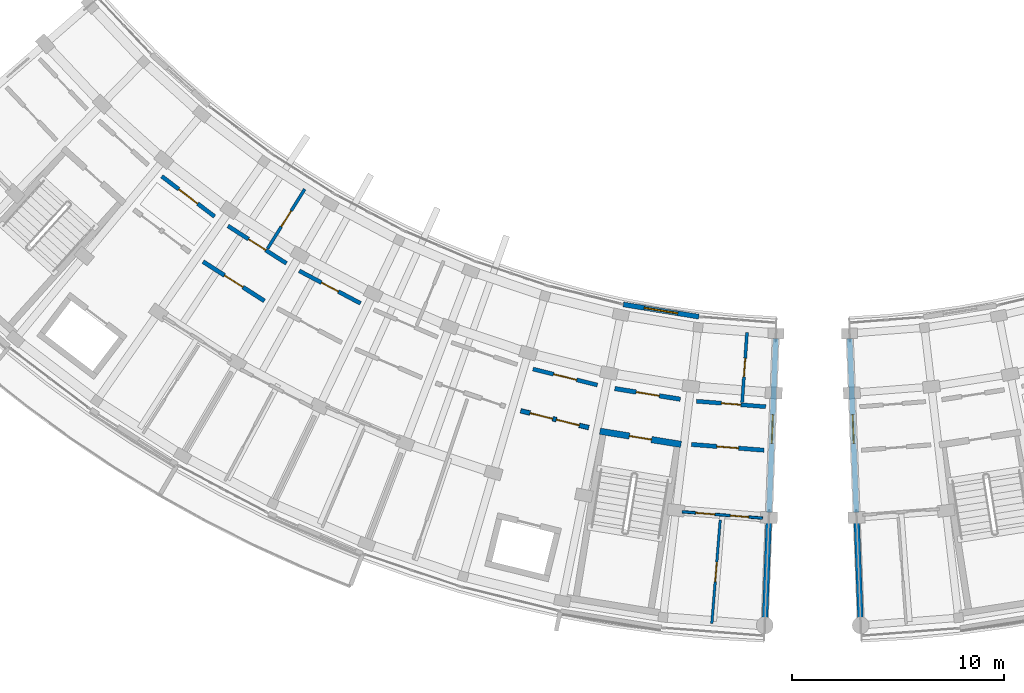
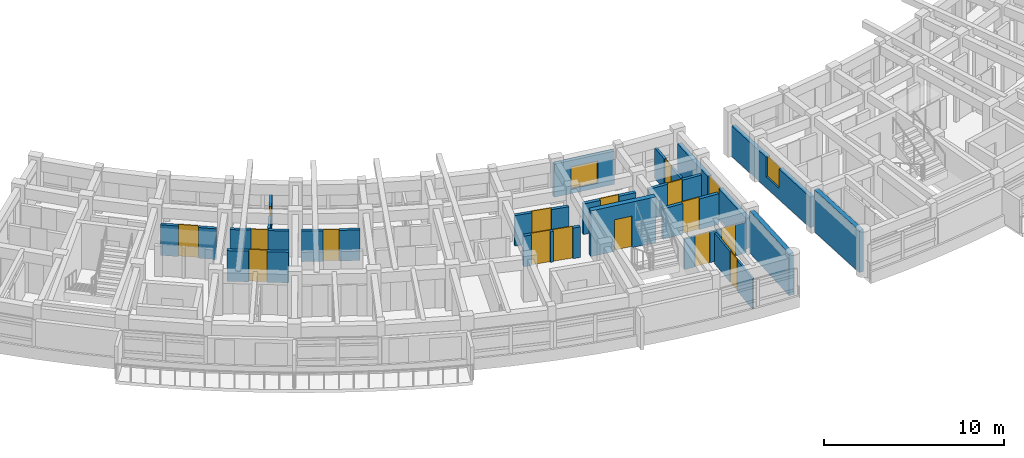
# One storey, part 35 of 55: 19 walls, 16 doors, 3 windows, 19 openings.
"""IFC4 building model written with IfcOpenShell, lengths in metres."""

from ifc_helpers import new_model, si_unit, direction, frame, frame_2d, origin, place, context, subcontext, project, spatial, rectangle, extrude, material, layer, layer_set, type_object, element, fill, save


model = new_model("IFC4")

# Units and contexts
model_context = context("Model", 3, precision=1e-05, world=origin(), true_north=direction((0.0, 1.0)))
body_context = subcontext(model_context, "Body", "Model", "MODEL_VIEW")
ifc_project = project(units=[si_unit("LENGTHUNIT", "METRE"), si_unit("AREAUNIT", "SQUARE_METRE"), si_unit("VOLUMEUNIT", "CUBIC_METRE"), si_unit("PLANEANGLEUNIT", "RADIAN"), si_unit("MASSUNIT", "GRAM", prefix="KILO")], contexts=[model_context])

# Site, building, storey
site_placement = place(None, origin())
site = spatial("IfcSite", under=ifc_project, at=site_placement, CompositionType="ELEMENT")
building_placement = place(site_placement, origin())
building = spatial("IfcBuilding", under=site, at=building_placement, Name="Zimvara Arc Housing Community", CompositionType="ELEMENT")
storey_placement = place(building_placement, frame((0.0, 0.0, 14.300048828125)))
storey = spatial("IfcBuildingStorey", under=building, at=storey_placement, Name="L04", CompositionType="ELEMENT", Elevation=14.300048828125)

# Wall, opening, window
ifc_material_1 = material(Name="Board-Marked Fair-Faced Concrete C35/45", Category="concrete")
ifc_layer_1 = layer(ifc_material_1, 0.22998046875)
ifc_layer_set_1 = layer_set([ifc_layer_1], Name="Board-Marked Fair-Faced Concrete C35/45")
wall_type_1 = type_object("IfcWallType", Name="EWL-CONC-230", PredefinedType="SOLIDWALL", material=ifc_layer_set_1)
wall_1_placement = place(storey_placement, frame((117.05810546875, 66.141845703125, 0.0), z_axis=(0.0, 0.0, 1.0), x_axis=(0.987080874485, -0.160222804952, 0.0)))
wall_1 = element("IfcWall", 1, at=wall_1_placement, inside=storey, type_object=wall_type_1, Name="ewall:blkC:L04:in:b8", PredefinedType="SOLIDWALL", context=body_context, shape_type="SweptSolid", body=[
    extrude(rectangle(XDim=3.603759765625, YDim=0.22998046875, at=frame_2d((1.8017578125, 0.0))), origin(), (0.0, 0.0, 1.0), 2.25),
])
opening_1_placement = place(wall_1_placement, frame((1.001708984375, 0.0, 0.320068359375)))
opening_1 = element("IfcOpeningElement", 2, at=opening_1_placement, cuts=wall_1, Name="Opening W03", PredefinedType="OPENING", context=body_context, shape_type="SweptSolid", body=[
    extrude(rectangle(XDim=1.60009765625, YDim=1.5, at=frame_2d((0.800048828125, 0.75))), frame((0.0, 0.125, 0.0), z_axis=(0.0, -1.0, 0.0), x_axis=(1.0, 0.0, 0.0)), (0.0, 0.0, 1.0), 0.25),
])
ifc_material_2 = material(Name="Solar Control Low-E Double Glazing", Category="glass")
window_type_1 = type_object("IfcWindowType", Name="WIN-RES-1600x1500", PartitioningType="DOUBLE_PANEL_VERTICAL", PredefinedType="WINDOW", material=ifc_material_2)
window_1_placement = place(opening_1_placement, origin())
window_1 = element("IfcWindow", 3, at=window_1_placement, inside=storey, type_object=window_type_1, Name="win:blkC:L04:in:b8", OverallHeight=1.5, OverallWidth=1.60009765625, PartitioningType="DOUBLE_PANEL_VERTICAL", PredefinedType="WINDOW", context=body_context, shape_type="SweptSolid", body=[
    extrude(rectangle(XDim=1.60009765625, YDim=1.5, at=frame_2d((0.800048828125, 0.75))), frame((0.0, 0.030029296875, 0.0), z_axis=(0.0, -1.0, 0.0), x_axis=(1.0, 0.0, 0.0)), (0.0, 0.0, 1.0), 0.06005859375),
])
fill(opening_1, window_1)

ifc_material_3 = material(Name="Board-Marked Fair-Faced Concrete C35/45", Category="concrete")
ifc_layer_2 = layer(ifc_material_3, 0.264892578125)
ifc_layer_set_2 = layer_set([ifc_layer_2], Name="Board-Marked Fair-Faced Concrete C35/45")
wall_type_2 = type_object("IfcWallType", Name="EWL-CONC-265", PredefinedType="SOLIDWALL", material=ifc_layer_set_2)
wall_2_placement = place(storey_placement, frame((124.23876953125, 64.533447265625, 0.0), z_axis=(0.0, 0.0, 1.0), x_axis=(-0.038407966241, -0.999262141847, 0.0)))
wall_2 = element("IfcWall", 4, at=wall_2_placement, inside=storey, type_object=wall_type_2, Name="ewall:blkC:L04:gN", PredefinedType="SOLIDWALL", context=body_context, shape_type="SweptSolid", body=[
    extrude(rectangle(XDim=8.199951171875, YDim=0.264892578125, at=frame_2d((4.10009765625, 0.0))), origin(), (0.0, 0.0, 1.0), 2.079833984375),
])
opening_2_placement = place(wall_2_placement, frame((3.590087890625, 0.0, 0.75)))
opening_2 = element("IfcOpeningElement", 5, at=opening_2_placement, cuts=wall_2, Name="Opening W12", PredefinedType="OPENING", context=body_context, shape_type="SweptSolid", body=[
    extrude(rectangle(XDim=1.35009765625, YDim=1.35009765625, at=frame_2d((0.675048828125, 0.675048828125))), frame((0.0, 0.142333984375, 0.0), z_axis=(0.0, -1.0, 0.0), x_axis=(1.0, 0.0, 0.0)), (0.0, 0.0, 1.0), 0.284912109375),
])
ifc_material_4 = material(Name="Solar Control Low-E Double Glazing", Category="glass")
window_type_2 = type_object("IfcWindowType", Name="WIN-RES-1350x1350", PartitioningType="DOUBLE_PANEL_VERTICAL", PredefinedType="WINDOW", material=ifc_material_4)
window_2_placement = place(opening_2_placement, origin())
window_2 = element("IfcWindow", 6, at=window_2_placement, inside=storey, type_object=window_type_2, Name="win:blkC:L04:gN:w", OverallHeight=1.35009765625, OverallWidth=1.35009765625, PartitioningType="DOUBLE_PANEL_VERTICAL", PredefinedType="WINDOW", context=body_context, shape_type="SweptSolid", body=[
    extrude(rectangle(XDim=1.35009765625, YDim=1.35009765625, at=frame_2d((0.675048828125, 0.675048828125))), frame((0.0, 0.030029296875, 0.0), z_axis=(0.0, -1.0, 0.0), x_axis=(1.0, 0.0, 0.0)), (0.0, 0.0, 1.0), 0.06005859375),
])
fill(opening_2, window_2)

wall_3_placement = place(storey_placement, frame((127.72119140625, 64.533447265625, 0.0), z_axis=(0.0, 0.0, 1.0), x_axis=(0.038407966241, -0.999262141847, 0.0)))
wall_3 = element("IfcWall", 7, at=wall_3_placement, inside=storey, type_object=wall_type_2, Name="ewall:blkD:L04:g0", PredefinedType="SOLIDWALL", context=body_context, shape_type="SweptSolid", body=[
    extrude(rectangle(XDim=8.199951171875, YDim=0.264892578125, at=frame_2d((4.10009765625, 0.0))), origin(), (0.0, 0.0, 1.0), 2.079833984375),
])
opening_3_placement = place(wall_3_placement, frame((3.590087890625, 0.0, 0.75)))
opening_3 = element("IfcOpeningElement", 8, at=opening_3_placement, cuts=wall_3, Name="Opening W12", PredefinedType="OPENING", context=body_context, shape_type="SweptSolid", body=[
    extrude(rectangle(XDim=1.35009765625, YDim=1.35009765625, at=frame_2d((0.675048828125, 0.675048828125))), frame((0.0, 0.142333984375, 0.0), z_axis=(0.0, -1.0, 0.0), x_axis=(1.0, 0.0, 0.0)), (0.0, 0.0, 1.0), 0.284912109375),
])
window_3_placement = place(opening_3_placement, origin())
window_3 = element("IfcWindow", 9, at=window_3_placement, inside=storey, type_object=window_type_2, Name="win:blkD:L04:g0:w", OverallHeight=1.35009765625, OverallWidth=1.35009765625, PartitioningType="DOUBLE_PANEL_VERTICAL", PredefinedType="WINDOW", context=body_context, shape_type="SweptSolid", body=[
    extrude(rectangle(XDim=1.35009765625, YDim=1.35009765625, at=frame_2d((0.675048828125, 0.675048828125))), frame((0.0, 0.030029296875, 0.0), z_axis=(0.0, -1.0, 0.0), x_axis=(1.0, 0.0, 0.0)), (0.0, 0.0, 1.0), 0.06005859375),
])
fill(opening_3, window_3)

# Wall, openings, doors
ifc_material_5 = material(Name="Concrete C35/45", Category="concrete")
ifc_layer_3 = layer(ifc_material_5, 0.2099609375)
ifc_layer_set_3 = layer_set([ifc_layer_3], Name="Concrete C35/45")
wall_type_3 = type_object("IfcWallType", Name="IWL-CCF-210", PredefinedType="SOLIDWALL", material=ifc_layer_set_3)
wall_4_placement = place(storey_placement, frame((112.222900390625, 61.130126953125, 0.0), z_axis=(0.0, 0.0, 1.0), x_axis=(0.970719238682, -0.240216901263, 0.0)))
wall_4 = element("IfcWall", 10, at=wall_4_placement, inside=storey, type_object=wall_type_3, Name="iwall:blkC:L04:ll_div:b7", PredefinedType="SOLIDWALL", context=body_context, shape_type="SweptSolid", body=[
    extrude(rectangle(XDim=3.2958984375, YDim=0.2099609375, at=frame_2d((1.64794921875, 0.0))), origin(), (0.0, 0.0, 1.0), 2.079833984375),
])
opening_4_placement = place(wall_4_placement, frame((0.449951171875, 0.0, 0.0)))
opening_4 = element("IfcOpeningElement", 11, at=opening_4_placement, cuts=wall_4, Name="Opening FD-CCF1", PredefinedType="OPENING", context=body_context, shape_type="SweptSolid", body=[
    extrude(rectangle(XDim=1.10009765625, YDim=2.14990234375, at=frame_2d((0.550048828125, 1.074951171875))), frame((0.0, 0.114990234375, 0.0), z_axis=(0.0, -1.0, 0.0), x_axis=(1.0, 0.0, 0.0)), (0.0, 0.0, 1.0), 0.22998046875),
])
opening_5_placement = place(wall_4_placement, frame((1.72607421875, 0.0, 0.0)))
opening_5 = element("IfcOpeningElement", 12, at=opening_5_placement, cuts=wall_4, Name="Opening D07", PredefinedType="OPENING", context=body_context, shape_type="SweptSolid", body=[
    extrude(rectangle(XDim=1.1201171875, YDim=2.14990234375, at=frame_2d((0.56005859375, 1.074951171875))), frame((0.0, 0.114990234375, 0.0), z_axis=(0.0, -1.0, 0.0), x_axis=(1.0, 0.0, 0.0)), (0.0, 0.0, 1.0), 0.22998046875),
])
ifc_material_6 = material(Name="Mozambican Hardwood", Category="wood")
door_type_1 = type_object("IfcDoorType", Name="IDR-AMN-1120x2150", OperationType="NOTDEFINED", PredefinedType="DOOR", material=ifc_material_6)
door_1_placement = place(opening_5_placement, origin())
door_1 = element("IfcDoor", 13, at=door_1_placement, inside=storey, type_object=door_type_1, Name="idoor:blkC:L04:rs_in:b7", OperationType="SINGLE_SWING_RIGHT", OverallHeight=2.14990234375, OverallWidth=1.1201171875, PredefinedType="DOOR", context=body_context, shape_type="SweptSolid", body=[
    extrude(rectangle(XDim=1.1201171875, YDim=2.14990234375, at=frame_2d((0.56005859375, 1.074951171875))), frame((0.0, 0.02490234375, 0.0), z_axis=(0.0, -1.0, 0.0), x_axis=(1.0, 0.0, 0.0)), (0.0, 0.0, 1.0), 0.050048828125),
])
fill(opening_5, door_1)
ifc_material_7 = material(Name="Anodised Aluminium AW-6063", Category="aluminium")
door_type_2 = type_object("IfcDoorType", Name="IDR-CCF-1100x2150", OperationType="NOTDEFINED", PredefinedType="DOOR", material=ifc_material_7)
door_2_placement = place(opening_4_placement, origin())
door_2 = element("IfcDoor", 14, at=door_2_placement, inside=storey, type_object=door_type_2, Name="idoor:blkC:L04:ll_in:b7", OperationType="SINGLE_SWING_LEFT", OverallHeight=2.14990234375, OverallWidth=1.10009765625, PredefinedType="DOOR", context=body_context, shape_type="SweptSolid", body=[
    extrude(rectangle(XDim=1.10009765625, YDim=2.14990234375, at=frame_2d((0.550048828125, 1.074951171875))), frame((0.0, 0.02490234375, 0.0), z_axis=(0.0, -1.0, 0.0), x_axis=(1.0, 0.0, 0.0)), (0.0, 0.0, 1.0), 0.050048828125),
])
fill(opening_4, door_2)

# Wall, opening, door
wall_5_placement = place(storey_placement, frame((116.655517578125, 62.178466796875, 0.0), z_axis=(0.0, 0.0, 1.0), x_axis=(0.987083140276, -0.16020884552, 0.0)))
wall_5 = element("IfcWall", 15, at=wall_5_placement, inside=storey, type_object=wall_type_3, Name="iwall:blkC:L04:ccf_div:b8", PredefinedType="SOLIDWALL", context=body_context, shape_type="SweptSolid", body=[
    extrude(rectangle(XDim=3.128662109375, YDim=0.2099609375, at=frame_2d((1.564453125, 0.0))), origin(), (0.0, 0.0, 1.0), 2.079833984375),
])
opening_6_placement = place(wall_5_placement, frame((1.014404296875, 0.0, 0.0)))
opening_6 = element("IfcOpeningElement", 16, at=opening_6_placement, cuts=wall_5, Name="Opening FD-CCF1", PredefinedType="OPENING", context=body_context, shape_type="SweptSolid", body=[
    extrude(rectangle(XDim=1.10009765625, YDim=2.14990234375, at=frame_2d((0.550048828125, 1.074951171875))), frame((0.0, 0.114990234375, 0.0), z_axis=(0.0, -1.0, 0.0), x_axis=(1.0, 0.0, 0.0)), (0.0, 0.0, 1.0), 0.22998046875),
])
door_3_placement = place(opening_6_placement, origin())
door_3 = element("IfcDoor", 17, at=door_3_placement, inside=storey, type_object=door_type_2, Name="idoor:blkC:L04:ccf_in:b8", OperationType="SINGLE_SWING_RIGHT", OverallHeight=2.14990234375, OverallWidth=1.10009765625, PredefinedType="DOOR", context=body_context, shape_type="SweptSolid", body=[
    extrude(rectangle(XDim=1.10009765625, YDim=2.14990234375, at=frame_2d((0.550048828125, 1.074951171875))), frame((0.0, 0.02490234375, 0.0), z_axis=(0.0, -1.0, 0.0), x_axis=(1.0, 0.0, 0.0)), (0.0, 0.0, 1.0), 0.050048828125),
])
fill(opening_6, door_3)

ifc_material_8 = material(Name="Concrete C35/45", Category="concrete")
ifc_layer_4 = layer(ifc_material_8, 0.18994140625)
ifc_layer_set_4 = layer_set([ifc_layer_4], Name="Concrete C35/45")
wall_type_4 = type_object("IfcWallType", Name="IWL-CORR-190", PredefinedType="SOLIDWALL", material=ifc_layer_set_4)
wall_6_placement = place(storey_placement, frame((95.30908203125, 72.18017578125, 0.0), z_axis=(0.0, 0.0, 1.0), x_axis=(0.795463961918, -0.606000895453, 0.0)))
wall_6 = element("IfcWall", 18, at=wall_6_placement, inside=storey, type_object=wall_type_4, Name="iwall:blkC:L04:ra_div:b2", PredefinedType="SOLIDWALL", context=body_context, shape_type="SweptSolid", body=[
    extrude(rectangle(XDim=3.128662109375, YDim=0.18994140625, at=frame_2d((1.564453125, 0.0))), origin(), (0.0, 0.0, 1.0), 2.079833984375),
])
opening_7_placement = place(wall_6_placement, frame((1.00439453125, 0.0, 0.0)))
opening_7 = element("IfcOpeningElement", 19, at=opening_7_placement, cuts=wall_6, Name="Opening D07", PredefinedType="OPENING", context=body_context, shape_type="SweptSolid", body=[
    extrude(rectangle(XDim=1.1201171875, YDim=2.14990234375, at=frame_2d((0.56005859375, 1.074951171875))), frame((0.0, 0.10498046875, 0.0), z_axis=(0.0, -1.0, 0.0), x_axis=(1.0, 0.0, 0.0)), (0.0, 0.0, 1.0), 0.2099609375),
])
door_4_placement = place(opening_7_placement, origin())
door_4 = element("IfcDoor", 20, at=door_4_placement, inside=storey, type_object=door_type_1, Name="idoor:blkC:L04:ra_d:b2", OperationType="SINGLE_SWING_LEFT", OverallHeight=2.14990234375, OverallWidth=1.1201171875, PredefinedType="DOOR", context=body_context, shape_type="SweptSolid", body=[
    extrude(rectangle(XDim=1.1201171875, YDim=2.14990234375, at=frame_2d((0.56005859375, 1.074951171875))), frame((0.0, 0.02490234375, 0.0), z_axis=(0.0, -1.0, 0.0), x_axis=(1.0, 0.0, 0.0)), (0.0, 0.0, 1.0), 0.050048828125),
])
fill(opening_7, door_4)

wall_7_placement = place(storey_placement, frame((98.4267578125, 69.841064453125, 0.0), z_axis=(0.0, 0.0, 1.0), x_axis=(0.842280895761, -0.539038860043, 0.0)))
wall_7 = element("IfcWall", 21, at=wall_7_placement, inside=storey, type_object=wall_type_4, Name="iwall:blkC:L04:corr_in:b3", PredefinedType="SOLIDWALL", context=body_context, shape_type="SweptSolid", body=[
    extrude(rectangle(XDim=3.268798828125, YDim=0.18994140625, at=frame_2d((1.63427734375, 0.0))), origin(), (0.0, 0.0, 1.0), 2.079833984375),
])
opening_8_placement = place(wall_7_placement, frame((1.154296875, 0.0, 0.0)))
opening_8 = element("IfcOpeningElement", 22, at=opening_8_placement, cuts=wall_7, Name="Opening D04", PredefinedType="OPENING", context=body_context, shape_type="SweptSolid", body=[
    extrude(rectangle(XDim=0.9599609375, YDim=2.10009765625, at=frame_2d((0.47998046875, 1.050048828125))), frame((0.0, 0.10498046875, 0.0), z_axis=(0.0, -1.0, 0.0), x_axis=(1.0, 0.0, 0.0)), (0.0, 0.0, 1.0), 0.2099609375),
])
ifc_material_9 = material(Name="Mozambican Hardwood", Category="wood")
door_type_3 = type_object("IfcDoorType", Name="IDR-RM-0960x2100", OperationType="NOTDEFINED", PredefinedType="DOOR", material=ifc_material_9)
door_5_placement = place(opening_8_placement, origin())
door_5 = element("IfcDoor", 23, at=door_5_placement, inside=storey, type_object=door_type_3, Name="idoor:blkC:L04:in_rm:b3", OperationType="SINGLE_SWING_LEFT", OverallHeight=2.10009765625, OverallWidth=0.9599609375, PredefinedType="DOOR", context=body_context, shape_type="SweptSolid", body=[
    extrude(rectangle(XDim=0.9599609375, YDim=2.10009765625, at=frame_2d((0.47998046875, 1.050048828125))), frame((0.0, 0.02490234375, 0.0), z_axis=(0.0, -1.0, 0.0), x_axis=(1.0, 0.0, 0.0)), (0.0, 0.0, 1.0), 0.050048828125),
])
fill(opening_8, door_5)

wall_8_placement = place(storey_placement, frame((101.78369140625, 67.726318359375, 0.0), z_axis=(0.0, 0.0, 1.0), x_axis=(0.883444301944, -0.468536194293, 0.0)))
wall_8 = element("IfcWall", 24, at=wall_8_placement, inside=storey, type_object=wall_type_4, Name="iwall:blkC:L04:corr_in:b4", PredefinedType="SOLIDWALL", context=body_context, shape_type="SweptSolid", body=[
    extrude(rectangle(XDim=3.268798828125, YDim=0.18994140625, at=frame_2d((1.63427734375, 0.0))), origin(), (0.0, 0.0, 1.0), 2.079833984375),
])
opening_9_placement = place(wall_8_placement, frame((1.184326171875, 0.0, 0.0)))
opening_9 = element("IfcOpeningElement", 25, at=opening_9_placement, cuts=wall_8, Name="Opening D01", PredefinedType="OPENING", context=body_context, shape_type="SweptSolid", body=[
    extrude(rectangle(XDim=0.89990234375, YDim=2.10009765625, at=frame_2d((0.449951171875, 1.050048828125))), frame((0.0, 0.10498046875, 0.0), z_axis=(0.0, -1.0, 0.0), x_axis=(1.0, 0.0, 0.0)), (0.0, 0.0, 1.0), 0.2099609375),
])
ifc_material_10 = material(Name="Mozambican Hardwood", Category="wood")
door_type_4 = type_object("IfcDoorType", Name="IDR-RM-0900x2100", OperationType="NOTDEFINED", PredefinedType="DOOR", material=ifc_material_10)
door_6_placement = place(opening_9_placement, origin())
door_6 = element("IfcDoor", 26, at=door_6_placement, inside=storey, type_object=door_type_4, Name="idoor:blkC:L04:in_rm:b4", OperationType="SINGLE_SWING_LEFT", OverallHeight=2.10009765625, OverallWidth=0.89990234375, PredefinedType="DOOR", context=body_context, shape_type="SweptSolid", body=[
    extrude(rectangle(XDim=0.89990234375, YDim=2.10009765625, at=frame_2d((0.449951171875, 1.050048828125))), frame((0.0, 0.02490234375, 0.0), z_axis=(0.0, -1.0, 0.0), x_axis=(1.0, 0.0, 0.0)), (0.0, 0.0, 1.0), 0.050048828125),
])
fill(opening_9, door_6)

wall_9_placement = place(storey_placement, frame((112.796142578125, 63.098388671875, 0.0), z_axis=(0.0, 0.0, 1.0), x_axis=(0.970708998014, -0.240258280136, 0.0)))
wall_9 = element("IfcWall", 27, at=wall_9_placement, inside=storey, type_object=wall_type_4, Name="iwall:blkC:L04:ra_div:b7", PredefinedType="SOLIDWALL", context=body_context, shape_type="SweptSolid", body=[
    extrude(rectangle(XDim=3.128662109375, YDim=0.18994140625, at=frame_2d((1.564453125, 0.0))), origin(), (0.0, 0.0, 1.0), 2.079833984375),
])
opening_10_placement = place(wall_9_placement, frame((1.00439453125, 0.0, 0.0)))
opening_10 = element("IfcOpeningElement", 28, at=opening_10_placement, cuts=wall_9, Name="Opening D07", PredefinedType="OPENING", context=body_context, shape_type="SweptSolid", body=[
    extrude(rectangle(XDim=1.1201171875, YDim=2.14990234375, at=frame_2d((0.56005859375, 1.074951171875))), frame((0.0, 0.10498046875, 0.0), z_axis=(0.0, -1.0, 0.0), x_axis=(1.0, 0.0, 0.0)), (0.0, 0.0, 1.0), 0.2099609375),
])
door_7_placement = place(opening_10_placement, origin())
door_7 = element("IfcDoor", 29, at=door_7_placement, inside=storey, type_object=door_type_1, Name="idoor:blkC:L04:ra_d:b7", OperationType="SINGLE_SWING_LEFT", OverallHeight=2.14990234375, OverallWidth=1.1201171875, PredefinedType="DOOR", context=body_context, shape_type="SweptSolid", body=[
    extrude(rectangle(XDim=1.1201171875, YDim=2.14990234375, at=frame_2d((0.56005859375, 1.074951171875))), frame((0.0, 0.02490234375, 0.0), z_axis=(0.0, -1.0, 0.0), x_axis=(1.0, 0.0, 0.0)), (0.0, 0.0, 1.0), 0.050048828125),
])
fill(opening_10, door_7)

wall_10_placement = place(storey_placement, frame((120.507080078125, 61.582275390625, 0.0), z_axis=(0.0, 0.0, 1.0), x_axis=(0.996860715473, -0.07917521043, 0.0)))
wall_10 = element("IfcWall", 30, at=wall_10_placement, inside=storey, type_object=wall_type_4, Name="iwall:blkC:L04:corr_in:b9", PredefinedType="SOLIDWALL", context=body_context, shape_type="SweptSolid", body=[
    extrude(rectangle(XDim=3.2685546875, YDim=0.18994140625, at=frame_2d((1.63427734375, 0.0))), origin(), (0.0, 0.0, 1.0), 2.079833984375),
])
opening_11_placement = place(wall_10_placement, frame((1.17431640625, 0.0, 0.0)))
opening_11 = element("IfcOpeningElement", 31, at=opening_11_placement, cuts=wall_10, Name="Opening D02", PredefinedType="OPENING", context=body_context, shape_type="SweptSolid", body=[
    extrude(rectangle(XDim=0.919921875, YDim=2.10009765625, at=frame_2d((0.4599609375, 1.050048828125))), frame((0.0, 0.10498046875, 0.0), z_axis=(0.0, -1.0, 0.0), x_axis=(1.0, 0.0, 0.0)), (0.0, 0.0, 1.0), 0.2099609375),
])
ifc_material_11 = material(Name="Mozambican Hardwood", Category="wood")
door_type_5 = type_object("IfcDoorType", Name="IDR-RM-0920x2100", OperationType="NOTDEFINED", PredefinedType="DOOR", material=ifc_material_11)
door_8_placement = place(opening_11_placement, origin())
door_8 = element("IfcDoor", 32, at=door_8_placement, inside=storey, type_object=door_type_5, Name="idoor:blkC:L04:in_rm:b9", OperationType="SINGLE_SWING_RIGHT", OverallHeight=2.10009765625, OverallWidth=0.919921875, PredefinedType="DOOR", context=body_context, shape_type="SweptSolid", body=[
    extrude(rectangle(XDim=0.919921875, YDim=2.10009765625, at=frame_2d((0.4599609375, 1.050048828125))), frame((0.0, 0.02490234375, 0.0), z_axis=(0.0, -1.0, 0.0), x_axis=(1.0, 0.0, 0.0)), (0.0, 0.0, 1.0), 0.050048828125),
])
fill(opening_11, door_8)

ifc_material_12 = material(Name="Concrete C35/45", Category="concrete")
ifc_layer_5 = layer(ifc_material_12, 0.199951171875)
ifc_layer_set_5 = layer_set([ifc_layer_5], Name="Concrete C35/45")
wall_type_5 = type_object("IfcWallType", Name="IWL-CORR-200", PredefinedType="SOLIDWALL", material=ifc_layer_set_5)
wall_11_placement = place(storey_placement, frame((97.252197265625, 68.160888671875, 0.0), z_axis=(0.0, 0.0, 1.0), x_axis=(0.842289466461, -0.53902546757, 0.0)))
wall_11 = element("IfcWall", 33, at=wall_11_placement, inside=storey, type_object=wall_type_5, Name="iwall:blkC:L04:corr_out:b3", PredefinedType="SOLIDWALL", context=body_context, shape_type="SweptSolid", body=[
    extrude(rectangle(XDim=3.43603515625, YDim=0.199951171875, at=frame_2d((1.718017578125, 0.0))), origin(), (0.0, 0.0, 1.0), 2.079833984375),
])
opening_12_placement = place(wall_11_placement, frame((1.2080078125, 0.0, 0.0)))
opening_12 = element("IfcOpeningElement", 34, at=opening_12_placement, cuts=wall_11, Name="Opening FD-FL2", PredefinedType="OPENING", context=body_context, shape_type="SweptSolid", body=[
    extrude(rectangle(XDim=1.02001953125, YDim=2.14990234375, at=frame_2d((0.510009765625, 1.074951171875))), frame((0.0, 0.10986328125, 0.0), z_axis=(0.0, -1.0, 0.0), x_axis=(1.0, 0.0, 0.0)), (0.0, 0.0, 1.0), 0.219970703125),
])
ifc_material_13 = material(Name="Mozambican Hardwood", Category="wood")
door_type_6 = type_object("IfcDoorType", Name="IDR-FLAT-1020x2150", OperationType="NOTDEFINED", PredefinedType="DOOR", material=ifc_material_13)
door_9_placement = place(opening_12_placement, origin())
door_9 = element("IfcDoor", 35, at=door_9_placement, inside=storey, type_object=door_type_6, Name="idoor:blkC:L04:flat:b3", OperationType="SINGLE_SWING_RIGHT", OverallHeight=2.14990234375, OverallWidth=1.02001953125, PredefinedType="DOOR", context=body_context, shape_type="SweptSolid", body=[
    extrude(rectangle(XDim=1.02001953125, YDim=2.14990234375, at=frame_2d((0.510009765625, 1.074951171875))), frame((0.0, 0.02490234375, 0.0), z_axis=(0.0, -1.0, 0.0), x_axis=(1.0, 0.0, 0.0)), (0.0, 0.0, 1.0), 0.050048828125),
])
fill(opening_12, door_9)

wall_12_placement = place(storey_placement, frame((120.261474609375, 59.547119140625, 0.0), z_axis=(0.0, 0.0, 1.0), x_axis=(0.996862545573, -0.079152165058, 0.0)))
wall_12 = element("IfcWall", 36, at=wall_12_placement, inside=storey, type_object=wall_type_5, Name="iwall:blkC:L04:corr_out:b9", PredefinedType="SOLIDWALL", context=body_context, shape_type="SweptSolid", body=[
    extrude(rectangle(XDim=3.43603515625, YDim=0.199951171875, at=frame_2d((1.718017578125, 0.0))), origin(), (0.0, 0.0, 1.0), 2.079833984375),
])
opening_13_placement = place(wall_12_placement, frame((1.2080078125, 0.0, 0.0)))
opening_13 = element("IfcOpeningElement", 37, at=opening_13_placement, cuts=wall_12, Name="Opening FD-FL2", PredefinedType="OPENING", context=body_context, shape_type="SweptSolid", body=[
    extrude(rectangle(XDim=1.02001953125, YDim=2.14990234375, at=frame_2d((0.510009765625, 1.074951171875))), frame((0.0, 0.10986328125, 0.0), z_axis=(0.0, -1.0, 0.0), x_axis=(1.0, 0.0, 0.0)), (0.0, 0.0, 1.0), 0.219970703125),
])
door_10_placement = place(opening_13_placement, origin())
door_10 = element("IfcDoor", 38, at=door_10_placement, inside=storey, type_object=door_type_6, Name="idoor:blkC:L04:flat:b9", OperationType="SINGLE_SWING_LEFT", OverallHeight=2.14990234375, OverallWidth=1.02001953125, PredefinedType="DOOR", context=body_context, shape_type="SweptSolid", body=[
    extrude(rectangle(XDim=1.02001953125, YDim=2.14990234375, at=frame_2d((0.510009765625, 1.074951171875))), frame((0.0, 0.02490234375, 0.0), z_axis=(0.0, -1.0, 0.0), x_axis=(1.0, 0.0, 0.0)), (0.0, 0.0, 1.0), 0.050048828125),
])
fill(opening_13, door_10)

# Wall, openings, doors
ifc_material_14 = material(Name="Painted Acoustic Plasterboard")
ifc_layer_6 = layer(ifc_material_14, 0.1201171875)
ifc_layer_set_6 = layer_set([ifc_layer_6], Name="Painted Acoustic Plasterboard")
wall_type_6 = type_object("IfcWallType", Name="IWL-PART-120", PredefinedType="PARTITIONING", material=ifc_layer_set_6)
wall_13_placement = place(storey_placement, frame((119.828369140625, 56.3740234375, 0.0), z_axis=(0.0, 0.0, 1.0), x_axis=(0.996863138536, -0.079144696778, 0.0)))
wall_13 = element("IfcWall", 39, at=wall_13_placement, inside=storey, type_object=wall_type_6, Name="iwall:blkC:L04:srv:b9", PredefinedType="PARTITIONING", context=body_context, shape_type="SweptSolid", body=[
    extrude(rectangle(XDim=3.79736328125, YDim=0.1201171875, at=frame_2d((1.898681640625, 0.0))), origin(), (0.0, 0.0, 1.0), 2.079833984375),
])
opening_14_placement = place(wall_13_placement, frame((0.64990234375, 0.0, 0.0)))
opening_14 = element("IfcOpeningElement", 40, at=opening_14_placement, cuts=wall_13, Name="Opening D01", PredefinedType="OPENING", context=body_context, shape_type="SweptSolid", body=[
    extrude(rectangle(XDim=0.89990234375, YDim=2.10009765625, at=frame_2d((0.449951171875, 1.050048828125))), frame((0.0, 0.070068359375, 0.0), z_axis=(0.0, -1.0, 0.0), x_axis=(1.0, 0.0, 0.0)), (0.0, 0.0, 1.0), 0.14013671875),
])
opening_15_placement = place(wall_13_placement, frame((2.267333984375, 0.0, 0.0)))
opening_15 = element("IfcOpeningElement", 41, at=opening_15_placement, cuts=wall_13, Name="Opening D05", PredefinedType="OPENING", context=body_context, shape_type="SweptSolid", body=[
    extrude(rectangle(XDim=0.8798828125, YDim=2.10009765625, at=frame_2d((0.43994140625, 1.050048828125))), frame((0.0, 0.070068359375, 0.0), z_axis=(0.0, -1.0, 0.0), x_axis=(1.0, 0.0, 0.0)), (0.0, 0.0, 1.0), 0.14013671875),
])
door_11_placement = place(opening_14_placement, origin())
door_11 = element("IfcDoor", 42, at=door_11_placement, inside=storey, type_object=door_type_4, Name="idoor:blkC:L04:kit_liv:b9", OperationType="SINGLE_SWING_RIGHT", OverallHeight=2.10009765625, OverallWidth=0.89990234375, PredefinedType="DOOR", context=body_context, shape_type="SweptSolid", body=[
    extrude(rectangle(XDim=0.89990234375, YDim=2.10009765625, at=frame_2d((0.449951171875, 1.050048828125))), frame((0.0, 0.02490234375, 0.0), z_axis=(0.0, -1.0, 0.0), x_axis=(1.0, 0.0, 0.0)), (0.0, 0.0, 1.0), 0.050048828125),
])
fill(opening_14, door_11)
ifc_material_15 = material(Name="Mozambican Hardwood", Category="wood")
door_type_7 = type_object("IfcDoorType", Name="IDR-WC-0880x2100", OperationType="NOTDEFINED", PredefinedType="DOOR", material=ifc_material_15)
door_12_placement = place(opening_15_placement, origin())
door_12 = element("IfcDoor", 43, at=door_12_placement, inside=storey, type_object=door_type_7, Name="idoor:blkC:L04:bath_d:b9", OperationType="SINGLE_SWING_LEFT", OverallHeight=2.10009765625, OverallWidth=0.8798828125, PredefinedType="DOOR", context=body_context, shape_type="SweptSolid", body=[
    extrude(rectangle(XDim=0.8798828125, YDim=2.10009765625, at=frame_2d((0.43994140625, 1.050048828125))), frame((0.0, 0.02490234375, 0.0), z_axis=(0.0, -1.0, 0.0), x_axis=(1.0, 0.0, 0.0)), (0.0, 0.0, 1.0), 0.050048828125),
])
fill(opening_15, door_12)

# Wall, opening, door
wall_14_placement = place(storey_placement, frame((121.620361328125, 55.986083984375, 0.0), z_axis=(0.0, 0.0, 1.0), x_axis=(-0.080666032472, -0.996741185667, 0.0)))
wall_14 = element("IfcWall", 44, at=wall_14_placement, inside=storey, type_object=wall_type_6, Name="iwall:blkC:L04:bed_div:b9", PredefinedType="PARTITIONING", context=body_context, shape_type="SweptSolid", body=[
    extrude(rectangle(XDim=4.89990234375, YDim=0.1201171875, at=frame_2d((2.449951171875, 0.0))), origin(), (0.0, 0.0, 1.0), 2.079833984375),
])
opening_16_placement = place(wall_14_placement, frame((1.989990234375, 0.0, 0.0)))
opening_16 = element("IfcOpeningElement", 45, at=opening_16_placement, cuts=wall_14, Name="Opening D02", PredefinedType="OPENING", context=body_context, shape_type="SweptSolid", body=[
    extrude(rectangle(XDim=0.919921875, YDim=2.10009765625, at=frame_2d((0.4599609375, 1.050048828125))), frame((0.0, 0.070068359375, 0.0), z_axis=(0.0, -1.0, 0.0), x_axis=(1.0, 0.0, 0.0)), (0.0, 0.0, 1.0), 0.14013671875),
])
door_13_placement = place(opening_16_placement, origin())
door_13 = element("IfcDoor", 46, at=door_13_placement, inside=storey, type_object=door_type_5, Name="idoor:blkC:L04:bed_d:b9", OperationType="SINGLE_SWING_RIGHT", OverallHeight=2.10009765625, OverallWidth=0.919921875, PredefinedType="DOOR", context=body_context, shape_type="SweptSolid", body=[
    extrude(rectangle(XDim=0.919921875, YDim=2.10009765625, at=frame_2d((0.4599609375, 1.050048828125))), frame((0.0, 0.02490234375, 0.0), z_axis=(0.0, -1.0, 0.0), x_axis=(1.0, 0.0, 0.0)), (0.0, 0.0, 1.0), 0.050048828125),
])
fill(opening_16, door_13)

ifc_material_16 = material(Name="Painted Acoustic Plasterboard")
ifc_layer_7 = layer(ifc_material_16, 0.14501953125)
ifc_layer_set_7 = layer_set([ifc_layer_7], Name="Painted Acoustic Plasterboard")
wall_type_7 = type_object("IfcWallType", Name="IWL-WET-145", PredefinedType="PARTITIONING", material=ifc_layer_set_7)
wall_15_placement = place(storey_placement, frame((102.0439453125, 71.576904296875, 0.0), z_axis=(0.0, 0.0, 1.0), x_axis=(-0.53015188203, -0.847902696057, 0.0)))
wall_15 = element("IfcWall", 47, at=wall_15_placement, inside=storey, type_object=wall_type_7, Name="iwall:blkC:L04:ens:b3", PredefinedType="PARTITIONING", context=body_context, shape_type="SweptSolid", body=[
    extrude(rectangle(XDim=3.300048828125, YDim=0.14501953125, at=frame_2d((1.64990234375, 0.0))), origin(), (0.0, 0.0, 1.0), 2.079833984375),
])
opening_17_placement = place(wall_15_placement, frame((1.2099609375, 0.0, 0.0)))
opening_17 = element("IfcOpeningElement", 48, at=opening_17_placement, cuts=wall_15, Name="Opening D05", PredefinedType="OPENING", context=body_context, shape_type="SweptSolid", body=[
    extrude(rectangle(XDim=0.8798828125, YDim=2.10009765625, at=frame_2d((0.43994140625, 1.050048828125))), frame((0.0, 0.08251953125, 0.0), z_axis=(0.0, -1.0, 0.0), x_axis=(1.0, 0.0, 0.0)), (0.0, 0.0, 1.0), 0.1650390625),
])
door_14_placement = place(opening_17_placement, origin())
door_14 = element("IfcDoor", 49, at=door_14_placement, inside=storey, type_object=door_type_7, Name="idoor:blkC:L04:ens_d:b3", OperationType="SINGLE_SWING_RIGHT", OverallHeight=2.10009765625, OverallWidth=0.8798828125, PredefinedType="DOOR", context=body_context, shape_type="SweptSolid", body=[
    extrude(rectangle(XDim=0.8798828125, YDim=2.10009765625, at=frame_2d((0.43994140625, 1.050048828125))), frame((0.0, 0.02490234375, 0.0), z_axis=(0.0, -1.0, 0.0), x_axis=(1.0, 0.0, 0.0)), (0.0, 0.0, 1.0), 0.050048828125),
])
fill(opening_17, door_14)

wall_16_placement = place(storey_placement, frame((122.88134765625, 64.81640625, 0.0), z_axis=(0.0, 0.0, 1.0), x_axis=(-0.068581194944, -0.997645538105, 0.0)))
wall_16 = element("IfcWall", 50, at=wall_16_placement, inside=storey, type_object=wall_type_7, Name="iwall:blkC:L04:ens:b9", PredefinedType="PARTITIONING", context=body_context, shape_type="SweptSolid", body=[
    extrude(rectangle(XDim=3.300048828125, YDim=0.14501953125, at=frame_2d((1.64990234375, 0.0))), origin(), (0.0, 0.0, 1.0), 2.079833984375),
])
opening_18_placement = place(wall_16_placement, frame((1.2099609375, 0.0, 0.0)))
opening_18 = element("IfcOpeningElement", 51, at=opening_18_placement, cuts=wall_16, Name="Opening D05", PredefinedType="OPENING", context=body_context, shape_type="SweptSolid", body=[
    extrude(rectangle(XDim=0.8798828125, YDim=2.10009765625, at=frame_2d((0.43994140625, 1.050048828125))), frame((0.0, 0.08251953125, 0.0), z_axis=(0.0, -1.0, 0.0), x_axis=(1.0, 0.0, 0.0)), (0.0, 0.0, 1.0), 0.1650390625),
])
door_15_placement = place(opening_18_placement, origin())
door_15 = element("IfcDoor", 52, at=door_15_placement, inside=storey, type_object=door_type_7, Name="idoor:blkC:L04:ens_d:b9", OperationType="SINGLE_SWING_LEFT", OverallHeight=2.10009765625, OverallWidth=0.8798828125, PredefinedType="DOOR", context=body_context, shape_type="SweptSolid", body=[
    extrude(rectangle(XDim=0.8798828125, YDim=2.10009765625, at=frame_2d((0.43994140625, 1.050048828125))), frame((0.0, 0.02490234375, 0.0), z_axis=(0.0, -1.0, 0.0), x_axis=(1.0, 0.0, 0.0)), (0.0, 0.0, 1.0), 0.050048828125),
])
fill(opening_18, door_15)

ifc_material_17 = material(Name="Concrete C40/50", Category="concrete")
ifc_layer_8 = layer(ifc_material_17, 0.300048828125)
ifc_layer_set_8 = layer_set([ifc_layer_8], Name="Concrete C40/50")
wall_type_8 = type_object("IfcWallType", Name="WL-CORE-300", PredefinedType="SHEAR", material=ifc_layer_set_8)
wall_17_placement = place(storey_placement, frame((115.953857421875, 60.16943359375, 0.0), z_axis=(0.0, 0.0, 1.0), x_axis=(0.987077443397, -0.160243941341, 0.0)))
wall_17 = element("IfcWall", 53, at=wall_17_placement, inside=storey, type_object=wall_type_8, Name="cwall:ST-C2:L04:near", PredefinedType="SHEAR", context=body_context, shape_type="SweptSolid", body=[
    extrude(rectangle(XDim=3.869873046875, YDim=0.300048828125, at=frame_2d((1.93505859375, 0.0))), origin(), (0.0, 0.0, 1.0), 3.099853515625),
])
opening_19_placement = place(wall_17_placement, frame((1.409912109375, 0.0, 0.0)))
opening_19 = element("IfcOpeningElement", 54, at=opening_19_placement, cuts=wall_17, Name="Opening FD-ST2", PredefinedType="OPENING", context=body_context, shape_type="SweptSolid", body=[
    extrude(rectangle(XDim=1.050048828125, YDim=2.14990234375, at=frame_2d((0.52490234375, 1.074951171875))), frame((0.0, 0.159912109375, 0.0), z_axis=(0.0, -1.0, 0.0), x_axis=(1.0, 0.0, 0.0)), (0.0, 0.0, 1.0), 0.320068359375),
])
ifc_material_18 = material(Name="Anodised Aluminium AW-6063", Category="aluminium")
door_type_8 = type_object("IfcDoorType", Name="IDR-ST-1050x2150", OperationType="NOTDEFINED", PredefinedType="DOOR", material=ifc_material_18)
door_16_placement = place(opening_19_placement, origin())
door_16 = element("IfcDoor", 55, at=door_16_placement, inside=storey, type_object=door_type_8, Name="idoor:ST-C2:L04:entry", OperationType="SINGLE_SWING_RIGHT", OverallHeight=2.14990234375, OverallWidth=1.050048828125, PredefinedType="DOOR", context=body_context, shape_type="SweptSolid", body=[
    extrude(rectangle(XDim=1.050048828125, YDim=2.14990234375, at=frame_2d((0.52490234375, 1.074951171875))), frame((0.0, 0.02490234375, 0.0), z_axis=(0.0, -1.0, 0.0), x_axis=(1.0, 0.0, 0.0)), (0.0, 0.0, 1.0), 0.050048828125),
])
fill(opening_19, door_16)

# Walls
ifc_material_19 = material(Name="Concrete C40/50", Category="concrete")
ifc_layer_9 = layer(ifc_material_19, 0.27001953125)
ifc_layer_set_9 = layer_set([ifc_layer_9], Name="Concrete C40/50")
wall_type_9 = type_object("IfcWallType", Name="WL-SHEAR-270", PredefinedType="SHEAR", material=ifc_layer_set_9)
for number, where, z_axis, x_axis, name in (
    (56, (123.90771484375, 55.919677734375, 0.0), (0.0, 0.0, 1.0), (-0.038381471406, -0.99926315986, 0.0), "swall:blkC:L04:east"),
    (57, (128.05224609375, 55.919677734375, 0.0), (0.0, 0.0, 1.0), (0.038381471406, -0.99926315986, 0.0), "swall:blkD:L04:west"),
):
    element("IfcWall", number, at=place(storey_placement, frame(where, z_axis=z_axis, x_axis=x_axis)), inside=storey, type_object=wall_type_9, Name=name, PredefinedType="SHEAR", context=body_context, shape_type="SweptSolid", body=[
        extrude(rectangle(XDim=4.7197265625, YDim=0.27001953125, at=frame_2d((2.35986328125, 0.0))), origin(), (0.0, 0.0, 1.0), 2.85986328125),
    ])

save(model, "model.ifc")
